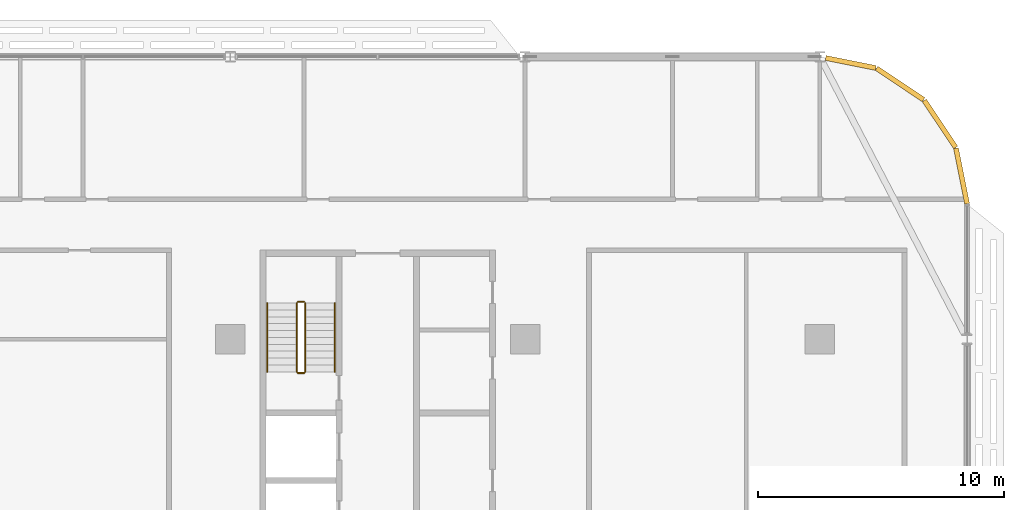
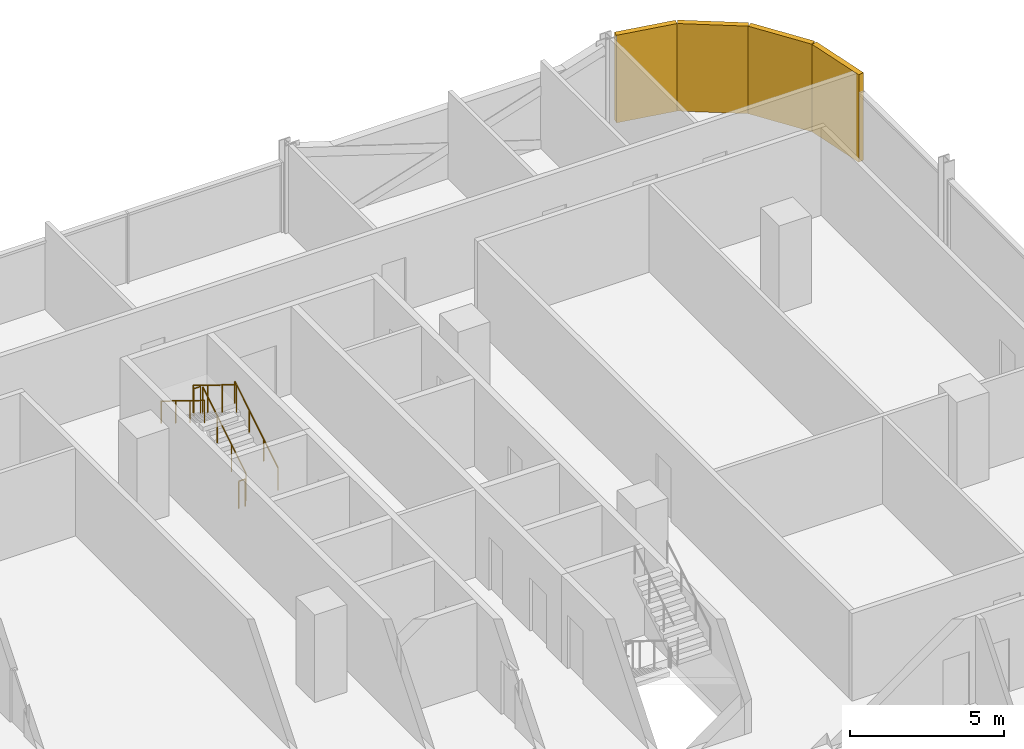
# One storey, part 27 of 27: 6 railings, 4 coverings.
"""IFC4 building model written with IfcOpenShell, lengths in metres."""

import ifcopenshell
import ifcopenshell.guid

model = None  # the IFC model being written
_history = None  # IfcOwnerHistory: only IFC2X3 demands one
_inside = {}  # id of a spatial element -> (the spatial element, [elements in it])
_under = {}  # id of a project, library or spatial element -> (it, [spatial elements below it])
_declared = {}  # id of a project -> (the project, [libraries it declares])
_typed = {}  # id of a type object -> (the type object, [elements of that type])
_made_of = {}  # id of a material, layer set ... -> (it, [elements and type objects made of it])


def new_model(schema):
    """Start an empty IFC model of exactly this schema.

    Asked for "IFC4X3", IfcOpenShell would pick the latest addendum, in which some entities
    have other attributes; the version numbers below select the first issue.
    IFC2X3 requires an IfcOwnerHistory on every rooted entity: one is made here for all.
    """
    global model, _history
    if schema == "IFC4X3":
        model = ifcopenshell.file(schema_version=(4, 3, 0, 0))
    else:
        model = ifcopenshell.file(schema=schema)
    _inside.clear()
    _under.clear()
    _declared.clear()
    _typed.clear()
    _made_of.clear()
    _history = None
    if model.schema == "IFC2X3":
        org = make("IfcOrganization", Name="unknown")
        user = make(
            "IfcPersonAndOrganization",
            ThePerson=make("IfcPerson", FamilyName="unknown"),
            TheOrganization=org,
        )
        app = make(
            "IfcApplication",
            ApplicationDeveloper=org,
            Version="unknown",
            ApplicationFullName="unknown",
            ApplicationIdentifier="unknown",
        )
        _history = make(
            "IfcOwnerHistory",
            OwningUser=user,
            OwningApplication=app,
            ChangeAction="ADDED",
            CreationDate=0,
        )
    return model


def make(cls, **values):
    """One entity of the class cls with the attributes given. An attribute that is None is left unset."""
    return model.create_entity(
        cls, **{name: value for name, value in values.items() if value is not None}
    )


def rooted(cls, **values):
    """An entity with a GlobalId (a new one), such as an element, a storey or a relation."""
    return make(cls, GlobalId=ifcopenshell.guid.new(), OwnerHistory=_history, **values)


def si_unit(unit_type, name, prefix=None):
    """IfcSIUnit, for example si_unit("LENGTHUNIT", "METRE", prefix="MILLI")."""
    return make("IfcSIUnit", UnitType=unit_type, Prefix=prefix, Name=name)


def assignment(units):
    """IfcUnitAssignment: the units of a project."""
    return None if units is None else make("IfcUnitAssignment", Units=units)


def point(xyz):
    """IfcCartesianPoint."""
    return None if xyz is None else make("IfcCartesianPoint", Coordinates=xyz)


def direction(xyz):
    """IfcDirection."""
    return None if xyz is None else make("IfcDirection", DirectionRatios=xyz)


def frame(location, z_axis=None, x_axis=None):
    """IfcAxis2Placement3D, a coordinate frame: its origin and axes. An axis left out is left unset."""
    return make(
        "IfcAxis2Placement3D",
        Location=point(location),
        Axis=direction(z_axis),
        RefDirection=direction(x_axis),
    )


def frame_2d(location, x_axis=None):
    """IfcAxis2Placement2D, a coordinate frame in the plane: its origin and x axis."""
    return make(
        "IfcAxis2Placement2D", Location=point(location), RefDirection=direction(x_axis)
    )


def origin():
    """The frame at (0, 0, 0) with its axes left unset."""
    return frame((0.0, 0.0, 0.0))


def origin_2d():
    """The frame at (0, 0) in the plane with its x axis left unset."""
    return frame_2d((0.0, 0.0))


def place(relative_to, where):
    """IfcLocalPlacement: puts the frame where relative to a parent placement (None: the world)."""
    return make(
        "IfcLocalPlacement", PlacementRelTo=relative_to, RelativePlacement=where
    )


def context(
    kind, dimensions, precision=None, world=None, true_north=None, identifier=None
):
    """IfcGeometricRepresentationContext, for example the 3D "Model" context."""
    return make(
        "IfcGeometricRepresentationContext",
        ContextIdentifier=identifier,
        ContextType=kind,
        CoordinateSpaceDimension=dimensions,
        Precision=precision,
        WorldCoordinateSystem=world,
        TrueNorth=true_north,
    )


def subcontext(parent, identifier, kind, view, scale=None):
    """IfcGeometricRepresentationSubContext, for example "Body" below "Model"."""
    return make(
        "IfcGeometricRepresentationSubContext",
        ContextIdentifier=identifier,
        ContextType=kind,
        ParentContext=parent,
        TargetScale=scale,
        TargetView=view,
    )


def project(units=None, contexts=None):
    """IfcProject with its units and contexts."""
    return rooted(
        "IfcProject",
        Name="project",
        RepresentationContexts=contexts,
        UnitsInContext=assignment(units),
    )


def spatial(cls, under=None, at=None, **own):
    """A site, building, storey or space (cls), placed at a placement, below another one or the project."""
    s = rooted(cls, ObjectPlacement=at, **own)
    if under is not None:
        _under.setdefault(under.id(), (under, []))[1].append(s)
    return s


def profile(cls, at=None, kind="AREA", **sizes):
    """A parametric profile (cls). Its sizes go by their IFC names, for example OverallWidth=200.0."""
    return make(cls, ProfileType=kind, Position=at, **sizes)


def rectangle(**sizes):
    """IfcRectangleProfileDef."""
    return profile("IfcRectangleProfileDef", **sizes)


def circle(**sizes):
    """IfcCircleProfileDef."""
    return profile("IfcCircleProfileDef", **sizes)


def extrude(swept, where, along, depth):
    """IfcExtrudedAreaSolid: the profile swept, set in the frame where, extruded along a direction by depth."""
    return make(
        "IfcExtrudedAreaSolid",
        SweptArea=swept,
        Position=where,
        ExtrudedDirection=direction(along),
        Depth=depth,
    )


def shape(context_of_items, identifier, shape_type, items):
    """IfcShapeRepresentation: the items that make up one representation, for example the "Body"."""
    return make(
        "IfcShapeRepresentation",
        ContextOfItems=context_of_items,
        RepresentationIdentifier=identifier,
        RepresentationType=shape_type,
        Items=items,
    )


def material(Name=None, Category=None):
    """IfcMaterial."""
    return make("IfcMaterial", Name=Name, Category=Category)


def layer(
    of_material, thickness, ventilated=None, Name=None, Category=None, Priority=None
):
    """IfcMaterialLayer: one layer of a wall or slab, of a material (None: an air gap)."""
    return make(
        "IfcMaterialLayer",
        Material=of_material,
        LayerThickness=thickness,
        IsVentilated=ventilated,
        Name=Name,
        Category=Category,
        Priority=Priority,
    )


def layer_set(layers, Name=None):
    """IfcMaterialLayerSet."""
    return make("IfcMaterialLayerSet", MaterialLayers=layers, LayerSetName=Name)


def made_of(thing, what):
    """Note that an element or type object is made of a material, layer set ...; save() writes the relation."""
    if what is not None:
        _made_of.setdefault(what.id(), (what, []))[1].append(thing)
    return thing


def type_object(cls, material=None, **own):
    """A type object (cls), such as IfcWallType, which elements share."""
    return made_of(rooted(cls, **own), material)


def element(
    cls,
    number,
    at=None,
    inside=None,
    cuts=None,
    type_object=None,
    material=None,
    context=None,
    identifier="Body",
    shape_type=None,
    held_by="IfcProductDefinitionShape",
    body=None,
    shapes=None,
    **own,
):
    """One element of the class cls, such as IfcWall. Its Tag is "e" and its number.

    at: its placement. inside: the storey or other place that contains it. cuts: it is an
    opening in that element (IfcRelVoidsElement). A single representation is given by context,
    identifier, shape_type and body (its items); several are given by shapes. held_by: the class
    of the entity that holds the representations. save() writes the other relations.
    """
    e = rooted(cls, Tag="e%d" % number, ObjectPlacement=at, **own)
    if body is not None:
        shapes = [shape(context, identifier, shape_type, body)]
    if shapes is not None:
        e.Representation = make(held_by, Representations=shapes)
    if inside is not None:
        _inside.setdefault(inside.id(), (inside, []))[1].append(e)
    if cuts is not None:
        rooted(
            "IfcRelVoidsElement", RelatingBuildingElement=cuts, RelatedOpeningElement=e
        )
    if type_object is not None:
        _typed.setdefault(type_object.id(), (type_object, []))[1].append(e)
    return made_of(e, material)


def aggregate(whole, parts):
    """IfcRelAggregates: a whole, such as a stair, and the parts it consists of."""
    return rooted("IfcRelAggregates", RelatingObject=whole, RelatedObjects=parts)


def save(model, path):
    """Write the relations noted so far, then the file.

    IfcRelAggregates (storeys below a building ...), IfcRelContainedInSpatialStructure (elements
    in a storey), IfcRelDefinesByType, IfcRelAssociatesMaterial and IfcRelDeclares: one each for
    every whole, place, type object, material and project.
    """
    for whole, parts in _under.values():
        aggregate(whole, parts)
    for where, things in _inside.values():
        rooted(
            "IfcRelContainedInSpatialStructure",
            RelatedElements=things,
            RelatingStructure=where,
        )
    for kind, things in _typed.values():
        rooted("IfcRelDefinesByType", RelatedObjects=things, RelatingType=kind)
    for what, things in _made_of.values():
        rooted("IfcRelAssociatesMaterial", RelatedObjects=things, RelatingMaterial=what)
    for by, libraries in _declared.values():
        rooted("IfcRelDeclares", RelatingContext=by, RelatedDefinitions=libraries)
    model.write(path)


model = new_model("IFC4")

# Units and contexts
model_context = context("Model", 3, precision=1e-05, world=origin(), true_north=direction((0.0, 1.0)))
body_context = subcontext(model_context, "Body", "Model", "MODEL_VIEW")
ifc_project = project(units=[si_unit("LENGTHUNIT", "METRE"), si_unit("AREAUNIT", "SQUARE_METRE"), si_unit("VOLUMEUNIT", "CUBIC_METRE"), si_unit("PLANEANGLEUNIT", "RADIAN"), si_unit("MASSUNIT", "GRAM", prefix="KILO")], contexts=[model_context])

# Site, building, storey
site_placement = place(None, origin())
site = spatial("IfcSite", under=ifc_project, at=site_placement, CompositionType="ELEMENT")
building_placement = place(site_placement, origin())
building = spatial("IfcBuilding", under=site, at=building_placement, Name="Mahtab Terrace Research Tower", CompositionType="ELEMENT")
storey_placement = place(building_placement, frame((0.0, 0.0, 182.0)))
storey = spatial("IfcBuildingStorey", under=building, at=storey_placement, Name="L43", CompositionType="ELEMENT", Elevation=182.0)

# Coverings
ifc_material_1 = material(Name="Black aluminium cladding panel", Category="aluminium")
ifc_layer = layer(ifc_material_1, 0.199951171875)
ifc_layer_set = layer_set([ifc_layer], Name="Black metal corner cladding 200")
covering_type = type_object("IfcCoveringType", Name="Black metal corner cladding 200", PredefinedType="CLADDING", material=ifc_layer_set)
for number, where, z_axis, x_axis, name in (
    (1, (46.89306640625, 20.26953125, 0.0), (0.0, 0.0, 1.0), (-0.555291490808, 0.831655794326, 0.0), "Corner cladding L43 0"),
    (2, (45.26953125, 21.89306640625, 0.0), (0.0, 0.0, 1.0), (-0.831655794326, 0.555291490808, 0.0), "Corner cladding L43 1"),
):
    element("IfcCovering", number, at=place(storey_placement, frame(where, z_axis=z_axis, x_axis=x_axis)), inside=storey, type_object=covering_type, Name=name, PredefinedType="CLADDING", context=body_context, shape_type="SweptSolid", body=[
        extrude(rectangle(XDim=2.30126953125, YDim=0.199951171875, at=origin_2d()), origin(), (0.0, 0.0, 1.0), 3.4599609375),
    ])
covering_1_placement = place(storey_placement, frame((43.25830078125, 22.74951171875, 0.0), z_axis=(0.0, 0.0, 1.0), x_axis=(-0.980760981187, 0.195212442692, 0.0)))
element("IfcCovering", 3, at=covering_1_placement, inside=storey, type_object=covering_type, Name="Corner cladding L43 2", PredefinedType="CLADDING", context=body_context, shape_type="SweptSolid", body=[
    extrude(rectangle(XDim=2.07666015625, YDim=0.199951171875, at=origin_2d()), origin(), (0.0, 0.0, 1.0), 3.4599609375),
])
covering_2_placement = place(storey_placement, frame((47.771484375, 18.14794921875, 0.0), z_axis=(0.0, 0.0, 1.0), x_axis=(-0.195212442692, 0.980760981187, 0.0)))
element("IfcCovering", 4, at=covering_2_placement, inside=storey, type_object=covering_type, Name="Corner cladding L43 38", PredefinedType="CLADDING", context=body_context, shape_type="SweptSolid", body=[
    extrude(rectangle(XDim=2.30126953125, YDim=0.199951171875, at=origin_2d()), origin(), (0.0, 0.0, 1.0), 3.4599609375),
])

# Railings
ifc_material_2 = material(Name="Stainless steel AISI 304", Category="steel")
railing_type_1 = type_object("IfcRailingType", Name="Stair guard 1100", PredefinedType="GUARDRAIL", material=ifc_material_2)
railing_1_placement = place(storey_placement, frame((21.050048828125, 10.175048828125, 0.172607421875)))
element("IfcRailing", 5, at=railing_1_placement, inside=storey, type_object=railing_type_1, Name="L43 ST3 stair guard 1", PredefinedType="GUARDRAIL", context=body_context, shape_type="SweptSolid", body=[
    extrude(circle(Radius=0.02392578125, at=origin_2d()), frame((0.0, 0.0, 1.076171875), z_axis=(0.0, 0.851089632645, 0.525020415988), x_axis=(-1.0, 0.0, 0.0)), (0.0, 0.0, 1.0), 3.2900390625),
    extrude(circle(Radius=0.02099609375, at=origin_2d()), origin(), (0.0, 0.0, 1.0), 1.052001953125),
    extrude(circle(Radius=0.02099609375, at=origin_2d()), frame((0.0, 0.933349609375, 0.57568359375)), (0.0, 0.0, 1.0), 1.052001953125),
    extrude(circle(Radius=0.02099609375, at=origin_2d()), frame((0.0, 1.86669921875, 1.151611328125)), (0.0, 0.0, 1.0), 1.052001953125),
    extrude(circle(Radius=0.02099609375, at=origin_2d()), frame((0.0, 2.800048828125, 1.727294921875)), (0.0, 0.0, 1.0), 1.052001953125),
])
railing_2_placement = place(storey_placement, frame((21.0, 13.02490234375, 1.89990234375)))
element("IfcRailing", 6, at=railing_2_placement, inside=storey, type_object=railing_type_1, Name="L43 ST3 stair guard 2", PredefinedType="GUARDRAIL", context=body_context, shape_type="SweptSolid", body=[
    extrude(circle(Radius=0.02392578125, at=origin_2d()), frame((0.0, 0.0, 1.076171875), z_axis=(-1.0, 0.0, 0.0), x_axis=(0.0, -1.0, 0.0)), (0.0, 0.0, 1.0), 0.25),
    extrude(circle(Radius=0.02099609375, at=origin_2d()), origin(), (0.0, 0.0, 1.0), 1.052001953125),
    extrude(circle(Radius=0.02099609375, at=origin_2d()), frame((-0.25, 0.0, 0.0)), (0.0, 0.0, 1.0), 1.052001953125),
])
railing_3_placement = place(storey_placement, frame((20.699951171875, 12.97509765625, 2.07275390625)))
element("IfcRailing", 7, at=railing_3_placement, inside=storey, type_object=railing_type_1, Name="L43 ST3 stair guard 3", PredefinedType="GUARDRAIL", context=body_context, shape_type="SweptSolid", body=[
    extrude(circle(Radius=0.02392578125, at=origin_2d()), frame((0.0, 0.0, 1.076171875), z_axis=(0.0, -0.851089632645, 0.525020415988), x_axis=(1.0, 0.0, 0.0)), (0.0, 0.0, 1.0), 3.2900390625),
    extrude(circle(Radius=0.02099609375, at=origin_2d()), origin(), (0.0, 0.0, 1.0), 1.052001953125),
    extrude(circle(Radius=0.02099609375, at=origin_2d()), frame((0.0, -0.933349609375, 0.57568359375)), (0.0, 0.0, 1.0), 1.052001953125),
    extrude(circle(Radius=0.02099609375, at=origin_2d()), frame((0.0, -1.86669921875, 1.151611328125)), (0.0, 0.0, 1.0), 1.052001953125),
    extrude(circle(Radius=0.02099609375, at=origin_2d()), frame((0.0, -2.800048828125, 1.727294921875)), (0.0, 0.0, 1.0), 1.052001953125),
])
railing_4_placement = place(storey_placement, frame((21.0, 10.125, 0.0)))
element("IfcRailing", 8, at=railing_4_placement, inside=storey, type_object=railing_type_1, Name="L43 ST3 stair guard 4", PredefinedType="GUARDRAIL", context=body_context, shape_type="SweptSolid", body=[
    extrude(circle(Radius=0.02392578125, at=origin_2d()), frame((0.0, 0.0, 1.076171875), z_axis=(-1.0, 0.0, 0.0), x_axis=(0.0, -1.0, 0.0)), (0.0, 0.0, 1.0), 0.25),
    extrude(circle(Radius=0.02099609375, at=origin_2d()), origin(), (0.0, 0.0, 1.0), 1.052001953125),
    extrude(circle(Radius=0.02099609375, at=origin_2d()), frame((-0.25, 0.0, 0.0)), (0.0, 0.0, 1.0), 1.052001953125),
])
railing_type_2 = type_object("IfcRailingType", Name="Stair handrail 900", PredefinedType="HANDRAIL", material=ifc_material_2)
railing_5_placement = place(storey_placement, frame((22.25, 10.175048828125, 0.172607421875)))
element("IfcRailing", 9, at=railing_5_placement, inside=storey, type_object=railing_type_2, Name="L43 ST3 stair handrail 1", PredefinedType="HANDRAIL", context=body_context, shape_type="SweptSolid", body=[
    extrude(circle(Radius=0.02392578125, at=origin_2d()), frame((0.0, 0.0, 0.8759765625), z_axis=(0.0, 0.851089632645, 0.525020415988), x_axis=(-1.0, 0.0, 0.0)), (0.0, 0.0, 1.0), 3.2900390625),
    extrude(circle(Radius=0.02099609375, at=origin_2d()), origin(), (0.0, 0.0, 1.0), 0.851806640625),
    extrude(circle(Radius=0.02099609375, at=origin_2d()), frame((0.0, 0.933349609375, 0.57568359375)), (0.0, 0.0, 1.0), 0.851806640625),
    extrude(circle(Radius=0.02099609375, at=origin_2d()), frame((0.0, 1.86669921875, 1.151611328125)), (0.0, 0.0, 1.0), 0.851806640625),
    extrude(circle(Radius=0.02099609375, at=origin_2d()), frame((0.0, 2.800048828125, 1.727294921875)), (0.0, 0.0, 1.0), 0.851806640625),
])
railing_6_placement = place(storey_placement, frame((19.5, 12.97509765625, 2.07275390625)))
element("IfcRailing", 10, at=railing_6_placement, inside=storey, type_object=railing_type_2, Name="L43 ST3 stair handrail 2", PredefinedType="HANDRAIL", context=body_context, shape_type="SweptSolid", body=[
    extrude(circle(Radius=0.02392578125, at=origin_2d()), frame((0.0, 0.0, 0.8759765625), z_axis=(0.0, -0.851089632645, 0.525020415988), x_axis=(1.0, 0.0, 0.0)), (0.0, 0.0, 1.0), 3.2900390625),
    extrude(circle(Radius=0.02099609375, at=origin_2d()), origin(), (0.0, 0.0, 1.0), 0.851806640625),
    extrude(circle(Radius=0.02099609375, at=origin_2d()), frame((0.0, -0.933349609375, 0.57568359375)), (0.0, 0.0, 1.0), 0.851806640625),
    extrude(circle(Radius=0.02099609375, at=origin_2d()), frame((0.0, -1.86669921875, 1.151611328125)), (0.0, 0.0, 1.0), 0.851806640625),
    extrude(circle(Radius=0.02099609375, at=origin_2d()), frame((0.0, -2.800048828125, 1.727294921875)), (0.0, 0.0, 1.0), 0.851806640625),
])

save(model, "model.ifc")
